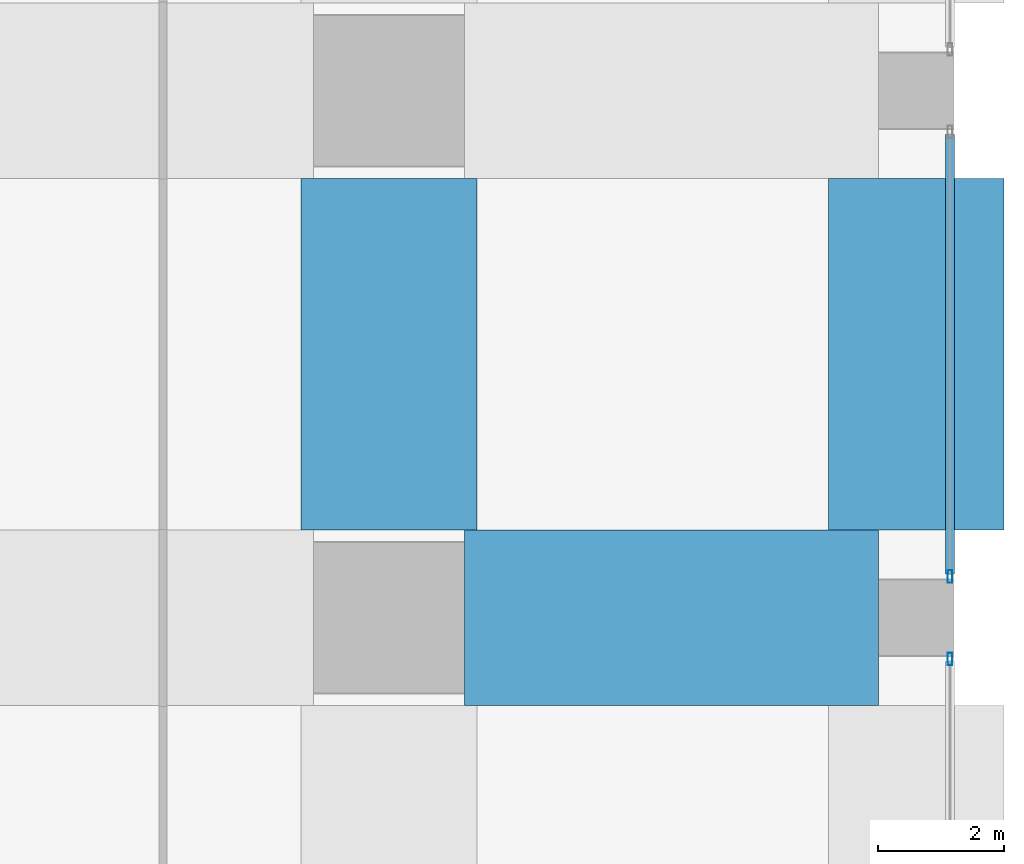
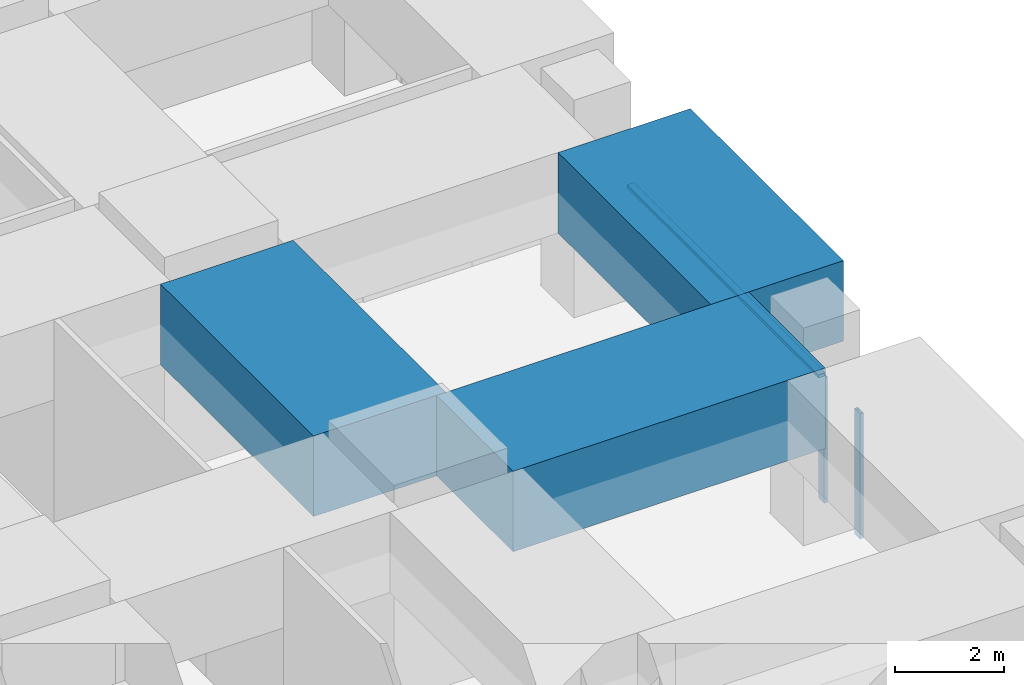
# One storey, part 31 of 52: 3 beams, 3 members, 2 elements without a shape of their own.
"""IFC4 building model written with IfcOpenShell, lengths in metres."""

from ifc_helpers import new_model, si_unit, direction, frame, origin, origin_2d, place, context, subcontext, project, spatial, rectangle, hollow_rectangle, extrude, material, material_profile, profile_set, type_object, element, aggregate, save


model = new_model("IFC4")

# Units and contexts
model_context = context("Model", 3, precision=1e-05, world=origin(), true_north=direction((0.0, 1.0)))
body_context = subcontext(model_context, "Body", "Model", "MODEL_VIEW")
ifc_project = project(units=[si_unit("LENGTHUNIT", "METRE"), si_unit("AREAUNIT", "SQUARE_METRE"), si_unit("VOLUMEUNIT", "CUBIC_METRE"), si_unit("PLANEANGLEUNIT", "RADIAN"), si_unit("MASSUNIT", "GRAM", prefix="KILO")], contexts=[model_context])

# Site, building, storey
site_placement = place(None, origin())
site = spatial("IfcSite", under=ifc_project, at=site_placement, CompositionType="ELEMENT")
building_placement = place(site_placement, origin())
building = spatial("IfcBuilding", under=site, at=building_placement, Name="Rekha Terrace Tower", CompositionType="ELEMENT")
storey_placement = place(building_placement, frame((0.0, 0.0, 20.39990234375)))
storey = spatial("IfcBuildingStorey", under=building, at=storey_placement, Name="L04", CompositionType="ELEMENT", Elevation=20.39990234375)

# Curtain wall, member
ifc_material_1 = material(Name="Aluminium framing", Category="aluminium")
curtain_wall_type = type_object("IfcCurtainWallType", Name="CW4 podium shopfront glazing", PredefinedType="USERDEFINED", material=ifc_material_1)
curtain_wall_1_placement = place(storey_placement, origin())
curtain_wall_1 = element("IfcCurtainWall", 1, at=curtain_wall_1_placement, inside=storey, type_object=curtain_wall_type, Name="CW4 shopfront curtain wall", ObjectType="SHOPFRONT CURTAIN WALL", PredefinedType="USERDEFINED")
ifc_material_2 = material(Name="Aluminium mullion section", Category="aluminium")
ifc_material_profile_1 = material_profile(ifc_material_2, hollow_rectangle(XDim=0.074951171875, YDim=0.199951171875, WallThickness=0.00390625, at=origin_2d()), Name="AL RHS 75x200")
ifc_profile_set_1 = profile_set([ifc_material_profile_1], Name="Aluminium mullion section")
member_type_1 = type_object("IfcMemberType", Name="CW4 mullion RHS 75 x 200", PredefinedType="MULLION", material=ifc_profile_set_1)
member_1_placement = place(storey_placement, frame((76.139892578125, 7.742431640625, 0.0), z_axis=(0.0, 0.0, 1.0), x_axis=(-1.0, 0.0, 0.0)))
member_1 = element("IfcMember", 2, at=member_1_placement, type_object=member_type_1, Name="CW4 mullion 2", PredefinedType="MULLION", context=body_context, shape_type="SweptSolid", body=[
    extrude(hollow_rectangle(XDim=0.074951171875, YDim=0.199951171875, WallThickness=0.00390625, at=origin_2d()), origin(), (0.0, 0.0, 1.0), 2.800048828125),
])
aggregate(curtain_wall_1, [member_1])

# Curtain wall, members
curtain_wall_2_placement = place(storey_placement, origin())
curtain_wall_2 = element("IfcCurtainWall", 3, at=curtain_wall_2_placement, inside=storey, type_object=curtain_wall_type, Name="CW4 shopfront curtain wall", ObjectType="SHOPFRONT CURTAIN WALL", PredefinedType="USERDEFINED")
member_2_placement = place(storey_placement, frame((76.139892578125, 9.0576171875, 0.0), z_axis=(0.0, 0.0, 1.0), x_axis=(-1.0, 0.0, 0.0)))
member_2 = element("IfcMember", 4, at=member_2_placement, type_object=member_type_1, Name="CW4 mullion 1", PredefinedType="MULLION", context=body_context, shape_type="SweptSolid", body=[
    extrude(hollow_rectangle(XDim=0.074951171875, YDim=0.199951171875, WallThickness=0.00390625, at=origin_2d()), origin(), (0.0, 0.0, 1.0), 2.800048828125),
])
ifc_material_3 = material(Name="Aluminium transom section", Category="aluminium")
ifc_material_profile_2 = material_profile(ifc_material_3, hollow_rectangle(XDim=0.14990234375, YDim=0.074951171875, WallThickness=0.0029296875, at=origin_2d()), Name="AL RHS 150x75")
ifc_profile_set_2 = profile_set([ifc_material_profile_2], Name="Aluminium transom section")
member_type_2 = type_object("IfcMemberType", Name="CW4 transom RHS 75 x 150", PredefinedType="USERDEFINED", material=ifc_profile_set_2)
member_3_placement = place(storey_placement, frame((76.139892578125, 9.094970703125, 2.7626953125), z_axis=(0.0, 1.0, 0.0), x_axis=(-1.0, 0.0, 0.0)))
member_3 = element("IfcMember", 5, at=member_3_placement, type_object=member_type_2, Name="CW4 transom 1.2", ObjectType="TRANSOM", PredefinedType="USERDEFINED", context=body_context, shape_type="SweptSolid", body=[
    extrude(hollow_rectangle(XDim=0.14990234375, YDim=0.074951171875, WallThickness=0.0029296875, at=origin_2d()), origin(), (0.0, 0.0, 1.0), 7.010009765625),
])
aggregate(curtain_wall_2, [member_2, member_3])

# Beams
ifc_material_4 = material(Name="Concrete M70", Category="concrete")
ifc_material_profile_3 = material_profile(ifc_material_4, rectangle(XDim=2.800048828125, YDim=1.800048828125, at=origin_2d()), Name="RC 2800x1800")
ifc_profile_set_3 = profile_set([ifc_material_profile_3], Name="Concrete M70")
beam_type = type_object("IfcBeamType", Name="G2 2800x1800 podium roof band beam", PredefinedType="BEAM", material=ifc_profile_set_3)
beam_placement = place(storey_placement, frame((68.39990234375, 8.39990234375, 3.7001953125), z_axis=(1.0, 0.0, 0.0), x_axis=(0.0, 1.0, 0.0)))
element("IfcBeam", 6, at=beam_placement, inside=storey, type_object=beam_type, Name="Beam G2 9B-10B under L05", PredefinedType="BEAM", context=body_context, shape_type="SweptSolid", body=[
    extrude(rectangle(XDim=2.800048828125, YDim=1.800048828125, at=origin_2d()), origin(), (0.0, 0.0, 1.0), 6.60009765625),
])
for number, where, z_axis, x_axis, name in (
    (7, (67.199951171875, 9.800048828125, 3.7001953125), (0.0, 1.0, 0.0), (-1.0, 0.0, 0.0), "Beam G2 9B-9C under L05"),
    (8, (75.60009765625, 9.800048828125, 3.7001953125), (0.0, 1.0, 0.0), (-1.0, 0.0, 0.0), "Beam G2 10B-10C under L05"),
):
    element("IfcBeam", number, at=place(storey_placement, frame(where, z_axis=z_axis, x_axis=x_axis)), inside=storey, type_object=beam_type, Name=name, PredefinedType="BEAM", context=body_context, shape_type="SweptSolid", body=[
        extrude(rectangle(XDim=2.800048828125, YDim=1.800048828125, at=origin_2d()), origin(), (0.0, 0.0, 1.0), 5.599853515625),
    ])

save(model, "model.ifc")
